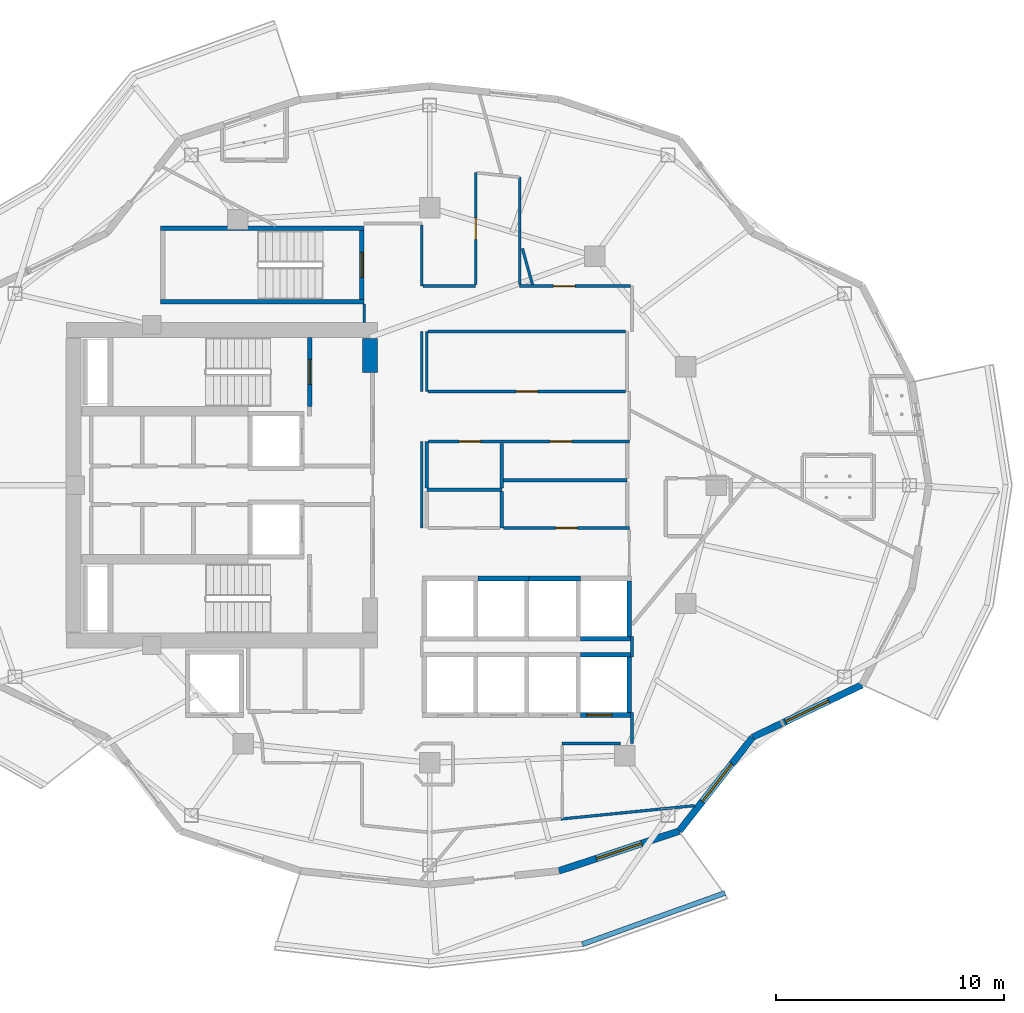
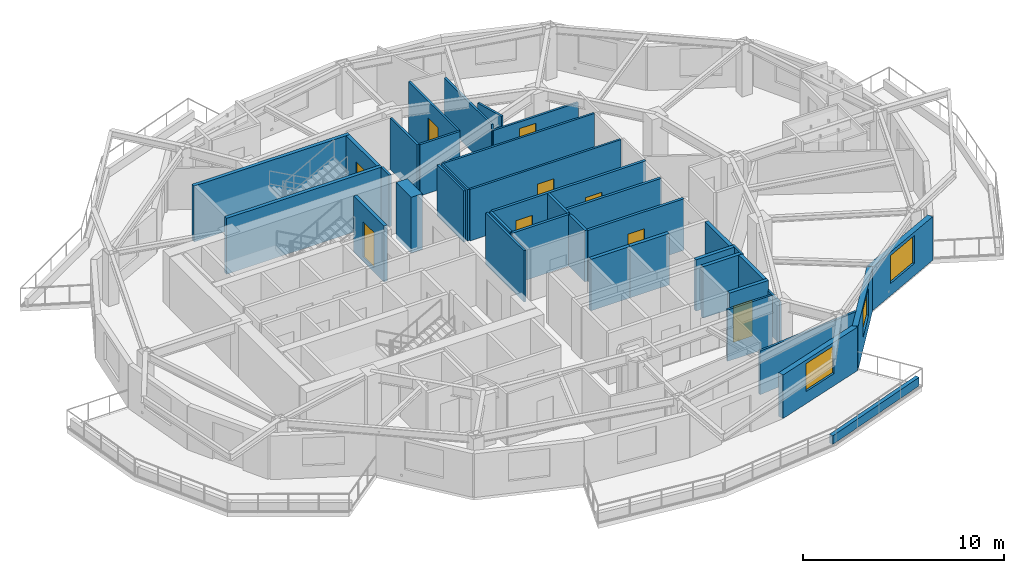
# One storey, part 5 of 14: 39 walls, 9 doors, 3 windows, 12 openings.
"""IFC4 building model written with IfcOpenShell, lengths in metres."""

from ifc_helpers import new_model, si_unit, direction, frame, frame_2d, origin, place, context, subcontext, project, spatial, rectangle, extrude, material, layer, layer_set, type_object, element, fill, save


model = new_model("IFC4")

# Units and contexts
model_context = context("Model", 3, precision=1e-05, world=origin(), true_north=direction((0.0, 1.0)))
body_context = subcontext(model_context, "Body", "Model", "MODEL_VIEW")
ifc_project = project(units=[si_unit("LENGTHUNIT", "METRE"), si_unit("AREAUNIT", "SQUARE_METRE"), si_unit("VOLUMEUNIT", "CUBIC_METRE"), si_unit("PLANEANGLEUNIT", "RADIAN"), si_unit("MASSUNIT", "GRAM", prefix="KILO")], contexts=[model_context])

# Site, building, storey
site_placement = place(None, origin())
site = spatial("IfcSite", under=ifc_project, at=site_placement, CompositionType="ELEMENT")
building_placement = place(site_placement, origin())
building = spatial("IfcBuilding", under=site, at=building_placement, Name="Kolvaren Gate Tower and Convention Centre", CompositionType="ELEMENT")
storey_placement = place(building_placement, frame((0.0, 0.0, 173.300048828125)))
storey = spatial("IfcBuildingStorey", under=building, at=storey_placement, Name="L45", CompositionType="ELEMENT", Elevation=173.300048828125)

# Wall
ifc_material_1 = material(Name="Fire-Rated Acoustic Gypsum Stud Partition", Category="gypsum")
ifc_layer_1 = layer(ifc_material_1, 0.1201171875)
ifc_layer_set_1 = layer_set([ifc_layer_1], Name="Fire-Rated Acoustic Gypsum Stud Partition")
wall_type_1 = type_object("IfcWallType", Name="ARCH-WL-PART-120", PredefinedType="PARTITIONING", material=ifc_layer_set_1)
wall_1_placement = place(storey_placement, frame((30.0, 31.1201171875, 0.0), z_axis=(0.0, 0.0, 1.0), x_axis=(0.0, 1.0, 0.0)))
element("IfcWall", 1, at=wall_1_placement, inside=storey, type_object=wall_type_1, Name="Interior Partition WL-L45-INT-018", PredefinedType="PARTITIONING", context=body_context, shape_type="SweptSolid", body=[
    extrude(rectangle(XDim=2.6298828125, YDim=0.1201171875, at=frame_2d((1.31494140625, 0.0))), origin(), (0.0, 0.0, 1.0), 3.1298828125),
])

# Wall, opening, door
wall_2_placement = place(storey_placement, frame((30.06201171875, 31.1201171875, 0.0), z_axis=(0.0, 0.0, 1.0), x_axis=(1.0, 0.0, 0.0)))
wall_2 = element("IfcWall", 2, at=wall_2_placement, inside=storey, type_object=wall_type_1, Name="Interior Partition WL-L45-INT-025", PredefinedType="PARTITIONING", context=body_context, shape_type="SweptSolid", body=[
    extrude(rectangle(XDim=8.676025390625, YDim=0.1201171875, at=frame_2d((4.337890625, 0.0))), origin(), (0.0, 0.0, 1.0), 3.1298828125),
])
opening_1_placement = place(wall_2_placement, frame((3.863037109375, 0.0, 0.0)))
opening_1 = element("IfcOpeningElement", 3, at=opening_1_placement, cuts=wall_2, Name="Opening DR-01", PredefinedType="OPENING", context=body_context, shape_type="SweptSolid", body=[
    extrude(rectangle(XDim=0.949951171875, YDim=2.10009765625, at=frame_2d((0.47509765625, 1.050048828125))), frame((0.0, 0.070068359375, 0.0), z_axis=(0.0, -1.0, 0.0), x_axis=(1.0, 0.0, 0.0)), (0.0, 0.0, 1.0), 0.14013671875),
])
ifc_material_2 = material(Name="Painted Architectural Steelwork ASTM A500 Grade C 345 MPa", Category="steel")
door_type_1 = type_object("IfcDoorType", Name="ARCH-DR-RISER-950", OperationType="SINGLE_SWING_RIGHT", PredefinedType="DOOR", material=ifc_material_2)
door_1_placement = place(opening_1_placement, origin())
door_1 = element("IfcDoor", 4, at=door_1_placement, inside=storey, type_object=door_type_1, Name="Botanical Reading Clubroom Door", OperationType="SINGLE_SWING_RIGHT", OverallHeight=2.10009765625, OverallWidth=0.949951171875, PredefinedType="DOOR", context=body_context, shape_type="SweptSolid", body=[
    extrude(rectangle(XDim=0.949951171875, YDim=2.10009765625, at=frame_2d((0.47509765625, 1.050048828125))), frame((0.0, 0.02490234375, 0.0), z_axis=(0.0, -1.0, 0.0), x_axis=(1.0, 0.0, 0.0)), (0.0, 0.0, 1.0), 0.050048828125),
])
fill(opening_1, door_1)

# Walls
wall_3_placement = place(storey_placement, frame((30.06201171875, 33.75, 0.0), z_axis=(0.0, 0.0, 1.0), x_axis=(1.0, 0.0, 0.0)))
element("IfcWall", 5, at=wall_3_placement, inside=storey, type_object=wall_type_1, Name="Interior Partition WL-L45-INT-026", PredefinedType="PARTITIONING", context=body_context, shape_type="SweptSolid", body=[
    extrude(rectangle(XDim=8.676025390625, YDim=0.1201171875, at=frame_2d((4.337890625, 0.0))), origin(), (0.0, 0.0, 1.0), 3.1298828125),
])
wall_4_placement = place(storey_placement, frame((39.02001953125, 15.64990234375, 0.0), z_axis=(0.0, 0.0, 1.0), x_axis=(0.0, 1.0, 0.0)))
element("IfcWall", 6, at=wall_4_placement, inside=storey, type_object=wall_type_1, Name="Interior Partition WL-L45-INT-027", PredefinedType="PARTITIONING", context=body_context, shape_type="SweptSolid", body=[
    extrude(rectangle(XDim=1.360107421875, YDim=0.1201171875, at=frame_2d((0.68017578125, 0.0))), origin(), (0.0, 0.0, 1.0), 2.5048828125),
])
wall_5_placement = place(storey_placement, frame((39.02001953125, 19.43994140625, 0.0), z_axis=(0.0, 0.0, 1.0), x_axis=(0.0, 1.0, 0.0)))
element("IfcWall", 7, at=wall_5_placement, inside=storey, type_object=wall_type_1, Name="Interior Partition WL-L45-INT-027 (2)", PredefinedType="PARTITIONING", context=body_context, shape_type="SweptSolid", body=[
    extrude(rectangle(XDim=0.920166015625, YDim=0.1201171875, at=frame_2d((0.4599609375, 0.0))), origin(), (0.0, 0.0, 1.0), 3.1298828125),
])
wall_6_placement = place(storey_placement, frame((35.949951171875, 15.64990234375, 0.0), z_axis=(0.0, 0.0, 1.0), x_axis=(1.0, 0.0, 0.0)))
element("IfcWall", 8, at=wall_6_placement, inside=storey, type_object=wall_type_1, Name="Interior Partition WL-L45-INT-030", PredefinedType="PARTITIONING", context=body_context, shape_type="SweptSolid", body=[
    extrude(rectangle(XDim=2.568115234375, YDim=0.1201171875, at=frame_2d((1.2841796875, 0.0))), origin(), (0.0, 0.0, 1.0), 3.1298828125),
])
wall_7_placement = place(storey_placement, frame((27.25, 34.152099609375, 0.0), z_axis=(0.0, 0.0, 1.0), x_axis=(0.0, 1.0, 0.0)))
element("IfcWall", 9, at=wall_7_placement, inside=storey, type_object=wall_type_1, Name="Interior Partition WL-L45-INT-037", PredefinedType="PARTITIONING", context=body_context, shape_type="SweptSolid", body=[
    extrude(rectangle(XDim=0.805908203125, YDim=0.1201171875, at=frame_2d((0.40283203125, 0.0))), origin(), (0.0, 0.0, 1.0), 3.1298828125),
])
wall_8_placement = place(storey_placement, frame((29.780029296875, 25.1201171875, 0.0), z_axis=(0.0, 0.0, 1.0), x_axis=(0.0, 1.0, 0.0)))
element("IfcWall", 10, at=wall_8_placement, inside=storey, type_object=wall_type_1, Name="Interior Partition WL-L45-INT-040", PredefinedType="PARTITIONING", context=body_context, shape_type="SweptSolid", body=[
    extrude(rectangle(XDim=3.7998046875, YDim=0.1201171875, at=frame_2d((1.89990234375, 0.0))), origin(), (0.0, 0.0, 1.0), 3.1298828125),
])
wall_9_placement = place(storey_placement, frame((29.780029296875, 31.1201171875, 0.0), z_axis=(0.0, 0.0, 1.0), x_axis=(0.0, 1.0, 0.0)))
element("IfcWall", 11, at=wall_9_placement, inside=storey, type_object=wall_type_1, Name="Interior Partition WL-L45-INT-041", PredefinedType="PARTITIONING", context=body_context, shape_type="SweptSolid", body=[
    extrude(rectangle(XDim=2.6298828125, YDim=0.1201171875, at=frame_2d((1.31494140625, 0.0))), origin(), (0.0, 0.0, 1.0), 3.1298828125),
])
wall_10_placement = place(storey_placement, frame((29.780029296875, 35.75, 0.0), z_axis=(0.0, 0.0, 1.0), x_axis=(0.0, 1.0, 0.0)))
element("IfcWall", 12, at=wall_10_placement, inside=storey, type_object=wall_type_1, Name="Interior Partition WL-L45-INT-042", PredefinedType="PARTITIONING", context=body_context, shape_type="SweptSolid", body=[
    extrude(rectangle(XDim=2.68798828125, YDim=0.1201171875, at=frame_2d((1.343994140625, 0.0))), origin(), (0.0, 0.0, 1.0), 3.1298828125),
])
wall_11_placement = place(storey_placement, frame((29.842041015625, 35.75, 0.0), z_axis=(0.0, 0.0, 1.0), x_axis=(1.0, 0.0, 0.0)))
element("IfcWall", 13, at=wall_11_placement, inside=storey, type_object=wall_type_1, Name="Interior Partition WL-L45-INT-043", PredefinedType="PARTITIONING", context=body_context, shape_type="SweptSolid", body=[
    extrude(rectangle(XDim=2.307861328125, YDim=0.1201171875, at=frame_2d((1.15380859375, 0.0))), origin(), (0.0, 0.0, 1.0), 3.1298828125),
])

# Wall, opening, door
wall_12_placement = place(storey_placement, frame((34.080078125, 35.75, 0.0), z_axis=(0.0, 0.0, 1.0), x_axis=(1.0, 0.0, 0.0)))
wall_12 = element("IfcWall", 14, at=wall_12_placement, inside=storey, type_object=wall_type_1, Name="Interior Partition WL-L45-INT-044", PredefinedType="PARTITIONING", context=body_context, shape_type="SweptSolid", body=[
    extrude(rectangle(XDim=4.8779296875, YDim=0.1201171875, at=frame_2d((2.43896484375, 0.0))), origin(), (0.0, 0.0, 1.0), 2.5048828125),
])
opening_2_placement = place(wall_12_placement, frame((1.4853515625, 0.0, 0.0)))
opening_2 = element("IfcOpeningElement", 15, at=opening_2_placement, cuts=wall_12, Name="Opening DR-01", PredefinedType="OPENING", context=body_context, shape_type="SweptSolid", body=[
    extrude(rectangle(XDim=0.949951171875, YDim=2.10009765625, at=frame_2d((0.47509765625, 1.050048828125))), frame((0.0, 0.070068359375, 0.0), z_axis=(0.0, -1.0, 0.0), x_axis=(1.0, 0.0, 0.0)), (0.0, 0.0, 1.0), 0.14013671875),
])
door_2_placement = place(opening_2_placement, origin())
door_2 = element("IfcDoor", 16, at=door_2_placement, inside=storey, type_object=door_type_1, Name="Deluxe Hotel Suite (HTL-L45-05) Door", OperationType="SINGLE_SWING_LEFT", OverallHeight=2.10009765625, OverallWidth=0.949951171875, PredefinedType="DOOR", context=body_context, shape_type="SweptSolid", body=[
    extrude(rectangle(XDim=0.949951171875, YDim=2.10009765625, at=frame_2d((0.47509765625, 1.050048828125))), frame((0.0, 0.02490234375, 0.0), z_axis=(0.0, -1.0, 0.0), x_axis=(1.0, 0.0, 0.0)), (0.0, 0.0, 1.0), 0.050048828125),
])
fill(opening_2, door_2)

wall_13_placement = place(storey_placement, frame((32.14990234375, 35.81201171875, 0.0), z_axis=(0.0, 0.0, 1.0), x_axis=(0.0, 1.0, 0.0)))
wall_13 = element("IfcWall", 17, at=wall_13_placement, inside=storey, type_object=wall_type_1, Name="Interior Partition WL-L45-INT-045", PredefinedType="PARTITIONING", context=body_context, shape_type="SweptSolid", body=[
    extrude(rectangle(XDim=4.925048828125, YDim=0.1201171875, at=frame_2d((2.46240234375, 0.0))), origin(), (0.0, 0.0, 1.0), 3.1298828125),
])
opening_3_placement = place(wall_13_placement, frame((1.987548828125, 0.0, 0.0)))
opening_3 = element("IfcOpeningElement", 18, at=opening_3_placement, cuts=wall_13, Name="Opening DR-01", PredefinedType="OPENING", context=body_context, shape_type="SweptSolid", body=[
    extrude(rectangle(XDim=0.949951171875, YDim=2.10009765625, at=frame_2d((0.47509765625, 1.050048828125))), frame((0.0, 0.070068359375, 0.0), z_axis=(0.0, -1.0, 0.0), x_axis=(1.0, 0.0, 0.0)), (0.0, 0.0, 1.0), 0.14013671875),
])
door_3_placement = place(opening_3_placement, origin())
door_3 = element("IfcDoor", 19, at=door_3_placement, inside=storey, type_object=door_type_1, Name="Deluxe Hotel Suite (HTL-L45-06) Door", OperationType="SINGLE_SWING_RIGHT", OverallHeight=2.10009765625, OverallWidth=0.949951171875, PredefinedType="DOOR", context=body_context, shape_type="SweptSolid", body=[
    extrude(rectangle(XDim=0.949951171875, YDim=2.10009765625, at=frame_2d((0.47509765625, 1.050048828125))), frame((0.0, 0.02490234375, 0.0), z_axis=(0.0, -1.0, 0.0), x_axis=(1.0, 0.0, 0.0)), (0.0, 0.0, 1.0), 0.050048828125),
])
fill(opening_3, door_3)

# Walls
wall_14_placement = place(storey_placement, frame((34.080078125, 35.81201171875, 0.0), z_axis=(0.0, 0.0, 1.0), x_axis=(0.0, 1.0, 0.0)))
element("IfcWall", 20, at=wall_14_placement, inside=storey, type_object=wall_type_1, Name="Interior Partition WL-L45-INT-047", PredefinedType="PARTITIONING", context=body_context, shape_type="SweptSolid", body=[
    extrude(rectangle(XDim=4.721923828125, YDim=0.1201171875, at=frame_2d((2.36083984375, 0.0))), origin(), (0.0, 0.0, 1.0), 2.81201171875),
])
wall_15_placement = place(storey_placement, frame((35.890380859375, 12.327880859375, 0.0), z_axis=(0.0, 0.0, 1.0), x_axis=(0.995005668478, 0.099818433655, 0.0)))
element("IfcWall", 21, at=wall_15_placement, inside=storey, type_object=wall_type_1, Name="Interior Partition WL-L45-INT-058", PredefinedType="PARTITIONING", context=body_context, shape_type="SweptSolid", body=[
    extrude(rectangle(XDim=5.9140625, YDim=0.1201171875, at=frame_2d((2.95703125, 0.0))), origin(), (0.0, 0.0, 1.0), 2.65283203125),
])
wall_16_placement = place(storey_placement, frame((34.201904296875, 37.401123046875, 0.0), z_axis=(0.0, 0.0, 1.0), x_axis=(0.268460489063, -0.963290696422, 0.0)))
element("IfcWall", 22, at=wall_16_placement, inside=storey, type_object=wall_type_1, Name="Interior Partition WL-L45-INT-071", PredefinedType="PARTITIONING", context=body_context, shape_type="SweptSolid", body=[
    extrude(rectangle(XDim=1.649658203125, YDim=0.1201171875, at=frame_2d((0.82470703125, 0.0))), origin(), (0.0, 0.0, 1.0), 3.1298828125),
])
ifc_material_3 = material(Name="Piedmont Cream Honed Limestone Cladding", Category="masonry")
ifc_layer_2 = layer(ifc_material_3, 0.219970703125)
ifc_layer_set_2 = layer_set([ifc_layer_2], Name="Piedmont Cream Honed Limestone Cladding")
wall_type_2 = type_object("IfcWallType", Name="ARCH-WL-PLANTER-220", PredefinedType="PARAPET", material=ifc_layer_set_2)
wall_17_placement = place(storey_placement, frame((36.836669921875, 6.826171875, 0.0), z_axis=(0.0, 0.0, 1.0), x_axis=(0.940948576924, 0.338549517184, 0.0)))
element("IfcWall", 23, at=wall_17_placement, inside=storey, type_object=wall_type_2, Name="Vertical-Forest Balcony Stone Planter Kerb PK-L45-3.3", PredefinedType="PARAPET", context=body_context, shape_type="SweptSolid", body=[
    extrude(rectangle(XDim=6.6640625, YDim=0.219970703125, at=frame_2d((3.33203125, 0.0))), origin(), (0.0, 0.0, 1.0), 0.52001953125),
])
ifc_material_4 = material(Name="Autoclaved Aerated Masonry Blockwork Class 4 (4.0 MPa)", Category="masonry")
ifc_layer_3 = layer(ifc_material_4, 0.199951171875)
ifc_layer_set_3 = layer_set([ifc_layer_3], Name="Autoclaved Aerated Masonry Blockwork Class 4 (4.0 MPa)")
wall_type_3 = type_object("IfcWallType", Name="ARCH-WL-SHAFT-200", PredefinedType="SOLIDWALL", material=ifc_layer_set_3)
wall_18_placement = place(storey_placement, frame((36.75, 19.550048828125, 0.0), z_axis=(0.0, 0.0, 1.0), x_axis=(1.0, 0.0, 0.0)))
element("IfcWall", 24, at=wall_18_placement, inside=storey, type_object=wall_type_3, Name="Elevator PL-08 L45 Fire Shaft Wall N", PredefinedType="SOLIDWALL", context=body_context, shape_type="SweptSolid", body=[
    extrude(rectangle(XDim=2.25, YDim=0.199951171875, at=frame_2d((1.125, 0.0))), origin(), (0.0, 0.0, 1.0), 3.1298828125),
])

# Wall, opening, door
wall_19_placement = place(storey_placement, frame((36.75, 16.89990234375, 0.0), z_axis=(0.0, 0.0, 1.0), x_axis=(1.0, 0.0, 0.0)))
wall_19 = element("IfcWall", 25, at=wall_19_placement, inside=storey, type_object=wall_type_3, Name="Elevator PL-08 L45 Fire Shaft Wall S", PredefinedType="SOLIDWALL", context=body_context, shape_type="SweptSolid", body=[
    extrude(rectangle(XDim=2.25, YDim=0.199951171875, at=frame_2d((1.125, 0.0))), origin(), (0.0, 0.0, 1.0), 3.1298828125),
])
opening_4_placement = place(wall_19_placement, frame((0.280029296875, 0.0, 0.0)))
opening_4 = element("IfcOpeningElement", 26, at=opening_4_placement, cuts=wall_19, Name="Opening LD", PredefinedType="OPENING", context=body_context, shape_type="SweptSolid", body=[
    extrude(rectangle(XDim=1.10009765625, YDim=2.199951171875, at=frame_2d((0.550048828125, 1.10009765625))), frame((0.0, 0.10986328125, 0.0), z_axis=(0.0, -1.0, 0.0), x_axis=(1.0, 0.0, 0.0)), (0.0, 0.0, 1.0), 0.219970703125),
])
ifc_material_5 = material(Name="Brushed Stainless Steel Grade 316L", Category="steel")
door_type_2 = type_object("IfcDoorType", Name="ARCH-DR-LIFT-1100", OperationType="SLIDING_TO_LEFT", PredefinedType="DOOR", material=ifc_material_5)
door_4_placement = place(opening_4_placement, origin())
door_4 = element("IfcDoor", 27, at=door_4_placement, inside=storey, type_object=door_type_2, Name="Elevator PL-08 L45 Sliding Landing Door", OperationType="SLIDING_TO_LEFT", OverallHeight=2.199951171875, OverallWidth=1.10009765625, PredefinedType="DOOR", context=body_context, shape_type="SweptSolid", body=[
    extrude(rectangle(XDim=1.10009765625, YDim=2.199951171875, at=frame_2d((0.550048828125, 1.10009765625))), frame((0.0, 0.02490234375, 0.0), z_axis=(0.0, -1.0, 0.0), x_axis=(1.0, 0.0, 0.0)), (0.0, 0.0, 1.0), 0.050048828125),
])
fill(opening_4, door_4)

# Walls
wall_20_placement = place(storey_placement, frame((38.89990234375, 17.010009765625, 0.0), z_axis=(0.0, 0.0, 1.0), x_axis=(0.0, 1.0, 0.0)))
element("IfcWall", 28, at=wall_20_placement, inside=storey, type_object=wall_type_3, Name="Elevator PL-08 L45 Fire Shaft Wall E", PredefinedType="SOLIDWALL", context=body_context, shape_type="SweptSolid", body=[
    extrude(rectangle(XDim=2.429931640625, YDim=0.199951171875, at=frame_2d((1.21484375, 0.0))), origin(), (0.0, 0.0, 1.0), 3.1298828125),
])
for number, where, z_axis, x_axis, name in (
    (29, (32.25, 22.89990234375, 0.0), (0.0, 0.0, 1.0), (1.0, 0.0, 0.0), "Elevator PL-10 L45 Fire Shaft Wall N"),
    (30, (34.5, 22.89990234375, 0.0), (0.0, 0.0, 1.0), (1.0, 0.0, 0.0), "Elevator PL-11 L45 Fire Shaft Wall N"),
    (31, (36.75, 20.25, 0.0), (0.0, 0.0, 1.0), (1.0, 0.0, 0.0), "Elevator PL-12 L45 Fire Shaft Wall S"),
):
    element("IfcWall", number, at=place(storey_placement, frame(where, z_axis=z_axis, x_axis=x_axis)), inside=storey, type_object=wall_type_3, Name=name, PredefinedType="SOLIDWALL", context=body_context, shape_type="SweptSolid", body=[
        extrude(rectangle(XDim=2.25, YDim=0.199951171875, at=frame_2d((1.125, 0.0))), origin(), (0.0, 0.0, 1.0), 3.1298828125),
    ])
wall_21_placement = place(storey_placement, frame((38.89990234375, 20.360107421875, 0.0), z_axis=(0.0, 0.0, 1.0), x_axis=(0.0, 1.0, 0.0)))
element("IfcWall", 32, at=wall_21_placement, inside=storey, type_object=wall_type_3, Name="Elevator PL-12 L45 Fire Shaft Wall E", PredefinedType="SOLIDWALL", context=body_context, shape_type="SweptSolid", body=[
    extrude(rectangle(XDim=2.429931640625, YDim=0.199951171875, at=frame_2d((1.21484375, 0.0))), origin(), (0.0, 0.0, 1.0), 3.1298828125),
])

# Wall, opening, window
ifc_layer_4 = layer(ifc_material_3, 0.300048828125)
ifc_layer_set_4 = layer_set([ifc_layer_4], Name="Piedmont Cream Honed Limestone Cladding")
wall_type_4 = type_object("IfcWallType", Name="ARCH-WL-STONE-300", PredefinedType="SOLIDWALL", material=ifc_layer_set_4)
wall_22_placement = place(storey_placement, frame((35.802734375, 10.048095703125, 0.0), z_axis=(0.0, 0.0, 1.0), x_axis=(0.949246811547, 0.314532177636, 0.0)))
wall_22 = element("IfcWall", 33, at=wall_22_placement, inside=storey, type_object=wall_type_4, Name="Tower L45 Honed Stone Spandrel Wall EW-19", PredefinedType="SOLIDWALL", context=body_context, shape_type="SweptSolid", body=[
    extrude(rectangle(XDim=5.573974609375, YDim=0.300048828125, at=frame_2d((2.787109375, 0.0))), origin(), (0.0, 0.0, 1.0), 2.65283203125),
])
opening_5_placement = place(wall_22_placement, frame((1.737060546875, 0.0, 0.739990234375)))
opening_5 = element("IfcOpeningElement", 34, at=opening_5_placement, cuts=wall_22, Name="Opening W-02", PredefinedType="OPENING", context=body_context, shape_type="SweptSolid", body=[
    extrude(rectangle(XDim=2.10009765625, YDim=1.699951171875, at=frame_2d((1.050048828125, 0.85009765625))), frame((0.0, 0.159912109375, 0.0), z_axis=(0.0, -1.0, 0.0), x_axis=(1.0, 0.0, 0.0)), (0.0, 0.0, 1.0), 0.320068359375),
])
ifc_material_6 = material(Name="Low-E Triple Insulated Glazing Unit 44 mm", Category="glass")
window_type = type_object("IfcWindowType", Name="ARCH-WN-HTL-2100", PartitioningType="SINGLE_PANEL", PredefinedType="WINDOW", material=ifc_material_6)
window_1_placement = place(opening_5_placement, origin())
window_1 = element("IfcWindow", 35, at=window_1_placement, inside=storey, type_object=window_type, Name="Tower L45 Punched Stone Facade Window W-19", OverallHeight=1.699951171875, OverallWidth=2.10009765625, PartitioningType="SINGLE_PANEL", PredefinedType="WINDOW", context=body_context, shape_type="SweptSolid", body=[
    extrude(rectangle(XDim=2.10009765625, YDim=1.699951171875, at=frame_2d((1.050048828125, 0.85009765625))), frame((0.0, 0.030029296875, 0.0), z_axis=(0.0, -1.0, 0.0), x_axis=(1.0, 0.0, 0.0)), (0.0, 0.0, 1.0), 0.06005859375),
])
fill(opening_5, window_1)

wall_23_placement = place(storey_placement, frame((41.09375, 11.80126953125, 0.0), z_axis=(0.0, 0.0, 1.0), x_axis=(0.616429245738, 0.787410302828, 0.0)))
wall_23 = element("IfcWall", 36, at=wall_23_placement, inside=storey, type_object=wall_type_4, Name="Tower L45 Honed Stone Spandrel Wall EW-20", PredefinedType="SOLIDWALL", context=body_context, shape_type="SweptSolid", body=[
    extrude(rectangle(XDim=5.22314453125, YDim=0.300048828125, at=frame_2d((2.611572265625, 0.0))), origin(), (0.0, 0.0, 1.0), 2.65283203125),
])
opening_6_placement = place(wall_23_placement, frame((1.64990234375, 0.0, 0.739990234375)))
opening_6 = element("IfcOpeningElement", 37, at=opening_6_placement, cuts=wall_23, Name="Opening W-02", PredefinedType="OPENING", context=body_context, shape_type="SweptSolid", body=[
    extrude(rectangle(XDim=2.10009765625, YDim=1.699951171875, at=frame_2d((1.050048828125, 0.85009765625))), frame((0.0, 0.159912109375, 0.0), z_axis=(0.0, -1.0, 0.0), x_axis=(1.0, 0.0, 0.0)), (0.0, 0.0, 1.0), 0.320068359375),
])
window_2_placement = place(opening_6_placement, origin())
window_2 = element("IfcWindow", 38, at=window_2_placement, inside=storey, type_object=window_type, Name="Tower L45 Punched Stone Facade Window W-20", OverallHeight=1.699951171875, OverallWidth=2.10009765625, PartitioningType="SINGLE_PANEL", PredefinedType="WINDOW", context=body_context, shape_type="SweptSolid", body=[
    extrude(rectangle(XDim=2.10009765625, YDim=1.699951171875, at=frame_2d((1.050048828125, 0.85009765625))), frame((0.0, 0.030029296875, 0.0), z_axis=(0.0, -1.0, 0.0), x_axis=(1.0, 0.0, 0.0)), (0.0, 0.0, 1.0), 0.06005859375),
])
fill(opening_6, window_2)

wall_24_placement = place(storey_placement, frame((44.3134765625, 15.9140625, 0.0), z_axis=(0.0, 0.0, 1.0), x_axis=(0.901353070301, 0.433085029363, 0.0)))
wall_24 = element("IfcWall", 39, at=wall_24_placement, inside=storey, type_object=wall_type_4, Name="Tower L45 Honed Stone Spandrel Wall EW-21", PredefinedType="SOLIDWALL", context=body_context, shape_type="SweptSolid", body=[
    extrude(rectangle(XDim=5.336181640625, YDim=0.300048828125, at=frame_2d((2.66796875, 0.0))), origin(), (0.0, 0.0, 1.0), 2.65283203125),
])
opening_7_placement = place(wall_24_placement, frame((1.617919921875, 0.0, 0.739990234375)))
opening_7 = element("IfcOpeningElement", 40, at=opening_7_placement, cuts=wall_24, Name="Opening W-02", PredefinedType="OPENING", context=body_context, shape_type="SweptSolid", body=[
    extrude(rectangle(XDim=2.10009765625, YDim=1.699951171875, at=frame_2d((1.050048828125, 0.85009765625))), frame((0.0, 0.159912109375, 0.0), z_axis=(0.0, -1.0, 0.0), x_axis=(1.0, 0.0, 0.0)), (0.0, 0.0, 1.0), 0.320068359375),
])
window_3_placement = place(opening_7_placement, origin())
window_3 = element("IfcWindow", 41, at=window_3_placement, inside=storey, type_object=window_type, Name="Tower L45 Punched Stone Facade Window W-21", OverallHeight=1.699951171875, OverallWidth=2.10009765625, PartitioningType="SINGLE_PANEL", PredefinedType="WINDOW", context=body_context, shape_type="SweptSolid", body=[
    extrude(rectangle(XDim=2.10009765625, YDim=1.699951171875, at=frame_2d((1.050048828125, 0.85009765625))), frame((0.0, 0.030029296875, 0.0), z_axis=(0.0, -1.0, 0.0), x_axis=(1.0, 0.0, 0.0)), (0.0, 0.0, 1.0), 0.06005859375),
])
fill(opening_7, window_3)

# Walls
ifc_material_7 = material(Name="Moisture-Resistant Cement-Board Acoustic Partition", Category="gypsum")
ifc_layer_5 = layer(ifc_material_7, 0.14990234375)
ifc_layer_set_5 = layer_set([ifc_layer_5], Name="Moisture-Resistant Cement-Board Acoustic Partition")
wall_type_5 = type_object("IfcWallType", Name="ARCH-WL-WET-150", PredefinedType="PARTITIONING", material=ifc_layer_set_5)
wall_25_placement = place(storey_placement, frame((30.0, 26.800048828125, 0.0), z_axis=(0.0, 0.0, 1.0), x_axis=(1.0, 0.0, 0.0)))
element("IfcWall", 42, at=wall_25_placement, inside=storey, type_object=wall_type_5, Name="Interior Partition WL-L45-INT-016", PredefinedType="PARTITIONING", context=body_context, shape_type="SweptSolid", body=[
    extrude(rectangle(XDim=3.300048828125, YDim=0.14990234375, at=frame_2d((1.64990234375, 0.0))), origin(), (0.0, 0.0, 1.0), 3.1298828125),
])
wall_26_placement = place(storey_placement, frame((30.0, 26.876953125, 0.0), z_axis=(0.0, 0.0, 1.0), x_axis=(0.0, 1.0, 0.0)))
element("IfcWall", 43, at=wall_26_placement, inside=storey, type_object=wall_type_5, Name="Interior Partition WL-L45-INT-017 (2)", PredefinedType="PARTITIONING", context=body_context, shape_type="SweptSolid", body=[
    extrude(rectangle(XDim=2.04296875, YDim=0.14990234375, at=frame_2d((1.021484375, 0.0))), origin(), (0.0, 0.0, 1.0), 3.1298828125),
])

# Wall, openings, doors
wall_27_placement = place(storey_placement, frame((30.076904296875, 28.919921875, 0.0), z_axis=(0.0, 0.0, 1.0), x_axis=(1.0, 0.0, 0.0)))
wall_27 = element("IfcWall", 44, at=wall_27_placement, inside=storey, type_object=wall_type_5, Name="Interior Partition WL-L45-INT-019", PredefinedType="PARTITIONING", context=body_context, shape_type="SweptSolid", body=[
    extrude(rectangle(XDim=8.822998046875, YDim=0.14990234375, at=frame_2d((4.41162109375, 0.0))), origin(), (0.0, 0.0, 1.0), 3.1298828125),
])
opening_8_placement = place(wall_27_placement, frame((1.341552734375, 0.0, 0.0)))
opening_8 = element("IfcOpeningElement", 45, at=opening_8_placement, cuts=wall_27, Name="Opening DR-01", PredefinedType="OPENING", context=body_context, shape_type="SweptSolid", body=[
    extrude(rectangle(XDim=0.949951171875, YDim=2.10009765625, at=frame_2d((0.47509765625, 1.050048828125))), frame((0.0, 0.0849609375, 0.0), z_axis=(0.0, -1.0, 0.0), x_axis=(1.0, 0.0, 0.0)), (0.0, 0.0, 1.0), 0.169921875),
])
opening_9_placement = place(wall_27_placement, frame((5.343017578125, 0.0, 0.0)))
opening_9 = element("IfcOpeningElement", 46, at=opening_9_placement, cuts=wall_27, Name="Opening DR-01", PredefinedType="OPENING", context=body_context, shape_type="SweptSolid", body=[
    extrude(rectangle(XDim=0.949951171875, YDim=2.10009765625, at=frame_2d((0.47509765625, 1.050048828125))), frame((0.0, 0.0849609375, 0.0), z_axis=(0.0, -1.0, 0.0), x_axis=(1.0, 0.0, 0.0)), (0.0, 0.0, 1.0), 0.169921875),
])
door_5_placement = place(opening_8_placement, origin())
door_5 = element("IfcDoor", 47, at=door_5_placement, inside=storey, type_object=door_type_1, Name="Accessible North Washroom Door", OperationType="SINGLE_SWING_RIGHT", OverallHeight=2.10009765625, OverallWidth=0.949951171875, PredefinedType="DOOR", context=body_context, shape_type="SweptSolid", body=[
    extrude(rectangle(XDim=0.949951171875, YDim=2.10009765625, at=frame_2d((0.47509765625, 1.050048828125))), frame((0.0, 0.02490234375, 0.0), z_axis=(0.0, -1.0, 0.0), x_axis=(1.0, 0.0, 0.0)), (0.0, 0.0, 1.0), 0.050048828125),
])
fill(opening_8, door_5)
door_6_placement = place(opening_9_placement, origin())
door_6 = element("IfcDoor", 48, at=door_6_placement, inside=storey, type_object=door_type_1, Name="Hotel Housekeeping and Linen Store Door", OperationType="SINGLE_SWING_RIGHT", OverallHeight=2.10009765625, OverallWidth=0.949951171875, PredefinedType="DOOR", context=body_context, shape_type="SweptSolid", body=[
    extrude(rectangle(XDim=0.949951171875, YDim=2.10009765625, at=frame_2d((0.47509765625, 1.050048828125))), frame((0.0, 0.02490234375, 0.0), z_axis=(0.0, -1.0, 0.0), x_axis=(1.0, 0.0, 0.0)), (0.0, 0.0, 1.0), 0.050048828125),
])
fill(opening_9, door_6)

# Walls
wall_28_placement = place(storey_placement, frame((33.300048828125, 25.1201171875, 0.0), z_axis=(0.0, 0.0, 1.0), x_axis=(0.0, 1.0, 0.0)))
element("IfcWall", 49, at=wall_28_placement, inside=storey, type_object=wall_type_5, Name="Interior Partition WL-L45-INT-020", PredefinedType="PARTITIONING", context=body_context, shape_type="SweptSolid", body=[
    extrude(rectangle(XDim=1.602783203125, YDim=0.14990234375, at=frame_2d((0.80126953125, 0.0))), origin(), (0.0, 0.0, 1.0), 3.1298828125),
])
wall_29_placement = place(storey_placement, frame((33.300048828125, 26.876953125, 0.0), z_axis=(0.0, 0.0, 1.0), x_axis=(0.0, 1.0, 0.0)))
element("IfcWall", 50, at=wall_29_placement, inside=storey, type_object=wall_type_5, Name="Interior Partition WL-L45-INT-020 (2)", PredefinedType="PARTITIONING", context=body_context, shape_type="SweptSolid", body=[
    extrude(rectangle(XDim=1.966064453125, YDim=0.14990234375, at=frame_2d((0.98291015625, 0.0))), origin(), (0.0, 0.0, 1.0), 3.1298828125),
])

# Wall, opening, door
wall_30_placement = place(storey_placement, frame((33.376953125, 25.1201171875, 0.0), z_axis=(0.0, 0.0, 1.0), x_axis=(1.0, 0.0, 0.0)))
wall_30 = element("IfcWall", 51, at=wall_30_placement, inside=storey, type_object=wall_type_5, Name="Interior Partition WL-L45-INT-021 (2)", PredefinedType="PARTITIONING", context=body_context, shape_type="SweptSolid", body=[
    extrude(rectangle(XDim=5.52294921875, YDim=0.14990234375, at=frame_2d((2.761474609375, 0.0))), origin(), (0.0, 0.0, 1.0), 3.1298828125),
])
opening_10_placement = place(wall_30_placement, frame((2.28662109375, 0.0, 0.0)))
opening_10 = element("IfcOpeningElement", 52, at=opening_10_placement, cuts=wall_30, Name="Opening DR-01", PredefinedType="OPENING", context=body_context, shape_type="SweptSolid", body=[
    extrude(rectangle(XDim=0.949951171875, YDim=2.10009765625, at=frame_2d((0.47509765625, 1.050048828125))), frame((0.0, 0.0849609375, 0.0), z_axis=(0.0, -1.0, 0.0), x_axis=(1.0, 0.0, 0.0)), (0.0, 0.0, 1.0), 0.169921875),
])
door_7_placement = place(opening_10_placement, origin())
door_7 = element("IfcDoor", 53, at=door_7_placement, inside=storey, type_object=door_type_1, Name="Floor Coffee Pantry Door", OperationType="SINGLE_SWING_LEFT", OverallHeight=2.10009765625, OverallWidth=0.949951171875, PredefinedType="DOOR", context=body_context, shape_type="SweptSolid", body=[
    extrude(rectangle(XDim=0.949951171875, YDim=2.10009765625, at=frame_2d((0.47509765625, 1.050048828125))), frame((0.0, 0.02490234375, 0.0), z_axis=(0.0, -1.0, 0.0), x_axis=(1.0, 0.0, 0.0)), (0.0, 0.0, 1.0), 0.050048828125),
])
fill(opening_10, door_7)

# Walls
wall_31_placement = place(storey_placement, frame((33.376953125, 27.219970703125, 0.0), z_axis=(0.0, 0.0, 1.0), x_axis=(1.0, 0.0, 0.0)))
element("IfcWall", 54, at=wall_31_placement, inside=storey, type_object=wall_type_5, Name="Interior Partition WL-L45-INT-022", PredefinedType="PARTITIONING", context=body_context, shape_type="SweptSolid", body=[
    extrude(rectangle(XDim=5.423095703125, YDim=0.14990234375, at=frame_2d((2.71142578125, 0.0))), origin(), (0.0, 0.0, 1.0), 3.1298828125),
])
ifc_material_8 = material(Name="Concrete C60/75", Category="concrete")
ifc_layer_6 = layer(ifc_material_8, 0.64990234375)
ifc_layer_set_6 = layer_set([ifc_layer_6], Name="Concrete C60/75")
wall_type_6 = type_object("IfcWallType", Name="STR-WL-CORE-650", PredefinedType="SHEAR", material=ifc_layer_set_6)
wall_32_placement = place(storey_placement, frame((27.5, 31.949951171875, -0.27001953125), z_axis=(0.0, 0.0, 1.0), x_axis=(0.0, 1.0, 0.0)))
element("IfcWall", 55, at=wall_32_placement, inside=storey, type_object=wall_type_6, Name="Tower L45 Offset Core Shear Wall EN", PredefinedType="SHEAR", context=body_context, shape_type="SweptSolid", body=[
    extrude(rectangle(XDim=1.5, YDim=0.64990234375, at=frame_2d((0.75, 0.0))), origin(), (0.0, 0.0, 1.0), 3.39990234375),
])

# Wall, opening, door
ifc_material_9 = material(Name="Concrete C50/60", Category="concrete")
ifc_layer_7 = layer(ifc_material_9, 0.199951171875)
ifc_layer_set_7 = layer_set([ifc_layer_7], Name="Concrete C50/60")
wall_type_7 = type_object("IfcWallType", Name="STR-WL-SHAFT-200", PredefinedType="SHEAR", material=ifc_layer_set_7)
wall_33_placement = place(storey_placement, frame((24.85009765625, 30.4599609375, -0.27001953125), z_axis=(0.0, 0.0, 1.0), x_axis=(0.0, 1.0, 0.0)))
wall_33 = element("IfcWall", 56, at=wall_33_placement, inside=storey, type_object=wall_type_7, Name="Tower North Exit Stair ST-T1 L45 Structural Shear Enclosure Wall NEAR", PredefinedType="SHEAR", context=body_context, shape_type="SweptSolid", body=[
    extrude(rectangle(XDim=3.0380859375, YDim=0.199951171875, at=frame_2d((1.51904296875, 0.0))), origin(), (0.0, 0.0, 1.0), 3.39990234375),
])
opening_11_placement = place(wall_33_placement, frame((0.968994140625, 0.0, 0.27001953125)))
opening_11 = element("IfcOpeningElement", 57, at=opening_11_placement, cuts=wall_33, Name="Opening DS-01", PredefinedType="OPENING", context=body_context, shape_type="SweptSolid", body=[
    extrude(rectangle(XDim=1.10009765625, YDim=2.14990234375, at=frame_2d((0.550048828125, 1.074951171875))), frame((0.0, 0.10986328125, 0.0), z_axis=(0.0, -1.0, 0.0), x_axis=(1.0, 0.0, 0.0)), (0.0, 0.0, 1.0), 0.219970703125),
])
door_type_3 = type_object("IfcDoorType", Name="ARCH-DR-STAIR-1100", OperationType="SINGLE_SWING_LEFT", PredefinedType="DOOR", material=ifc_material_2)
door_8_placement = place(opening_11_placement, origin())
door_8 = element("IfcDoor", 58, at=door_8_placement, inside=storey, type_object=door_type_3, Name="Tower North Exit Stair ST-T1 L45 Fire Exit Stair Door", OperationType="SINGLE_SWING_LEFT", OverallHeight=2.14990234375, OverallWidth=1.10009765625, PredefinedType="DOOR", context=body_context, shape_type="SweptSolid", body=[
    extrude(rectangle(XDim=1.10009765625, YDim=2.14990234375, at=frame_2d((0.550048828125, 1.074951171875))), frame((0.0, 0.02490234375, 0.0), z_axis=(0.0, -1.0, 0.0), x_axis=(1.0, 0.0, 0.0)), (0.0, 0.0, 1.0), 0.050048828125),
])
fill(opening_11, door_8)

wall_34_placement = place(storey_placement, frame((27.14990234375, 35.159912109375, -0.27001953125), z_axis=(0.0, 0.0, 1.0), x_axis=(0.0, 1.0, 0.0)))
wall_34 = element("IfcWall", 59, at=wall_34_placement, inside=storey, type_object=wall_type_7, Name="Tower Mid-Zone Exit Stair ST-T3 L45 Structural Shear Enclosure Wall NEAR", PredefinedType="SHEAR", context=body_context, shape_type="SweptSolid", body=[
    extrude(rectangle(XDim=3.0400390625, YDim=0.199951171875, at=frame_2d((1.52001953125, 0.0))), origin(), (0.0, 0.0, 1.0), 3.39990234375),
])
opening_12_placement = place(wall_34_placement, frame((0.969970703125, 0.0, 0.27001953125)))
opening_12 = element("IfcOpeningElement", 60, at=opening_12_placement, cuts=wall_34, Name="Opening DS-01", PredefinedType="OPENING", context=body_context, shape_type="SweptSolid", body=[
    extrude(rectangle(XDim=1.10009765625, YDim=2.14990234375, at=frame_2d((0.550048828125, 1.074951171875))), frame((0.0, 0.10986328125, 0.0), z_axis=(0.0, -1.0, 0.0), x_axis=(1.0, 0.0, 0.0)), (0.0, 0.0, 1.0), 0.219970703125),
])
door_9_placement = place(opening_12_placement, origin())
door_9 = element("IfcDoor", 61, at=door_9_placement, inside=storey, type_object=door_type_3, Name="Tower Mid-Zone Exit Stair ST-T3 L45 Fire Exit Stair Door", OperationType="SINGLE_SWING_LEFT", OverallHeight=2.14990234375, OverallWidth=1.10009765625, PredefinedType="DOOR", context=body_context, shape_type="SweptSolid", body=[
    extrude(rectangle(XDim=1.10009765625, YDim=2.14990234375, at=frame_2d((0.550048828125, 1.074951171875))), frame((0.0, 0.02490234375, 0.0), z_axis=(0.0, -1.0, 0.0), x_axis=(1.0, 0.0, 0.0)), (0.0, 0.0, 1.0), 0.050048828125),
])
fill(opening_12, door_9)

# Walls
for number, where, z_axis, x_axis, name in (
    (62, (18.300048828125, 38.300048828125, -0.27001953125), (0.0, 0.0, 1.0), (1.0, 0.0, 0.0), "Tower Mid-Zone Exit Stair ST-T3 L45 Structural Shear Enclosure Wall LEFT"),
    (63, (18.300048828125, 35.06005859375, -0.27001953125), (0.0, 0.0, 1.0), (1.0, 0.0, 0.0), "Tower Mid-Zone Exit Stair ST-T3 L45 Structural Shear Enclosure Wall RGHT"),
):
    element("IfcWall", number, at=place(storey_placement, frame(where, z_axis=z_axis, x_axis=x_axis)), inside=storey, type_object=wall_type_7, Name=name, PredefinedType="SHEAR", context=body_context, shape_type="SweptSolid", body=[
        extrude(rectangle(XDim=8.949951171875, YDim=0.199951171875, at=frame_2d((4.47509765625, 0.0))), origin(), (0.0, 0.0, 1.0), 3.39990234375),
    ])

save(model, "model.ifc")
